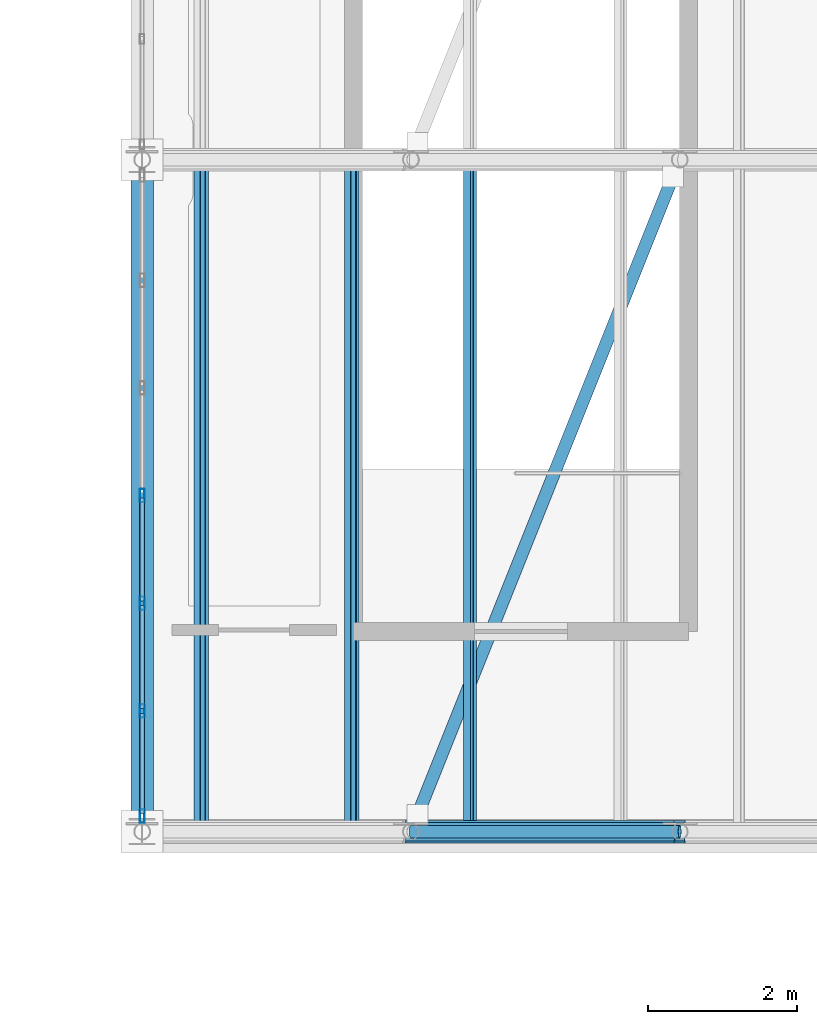
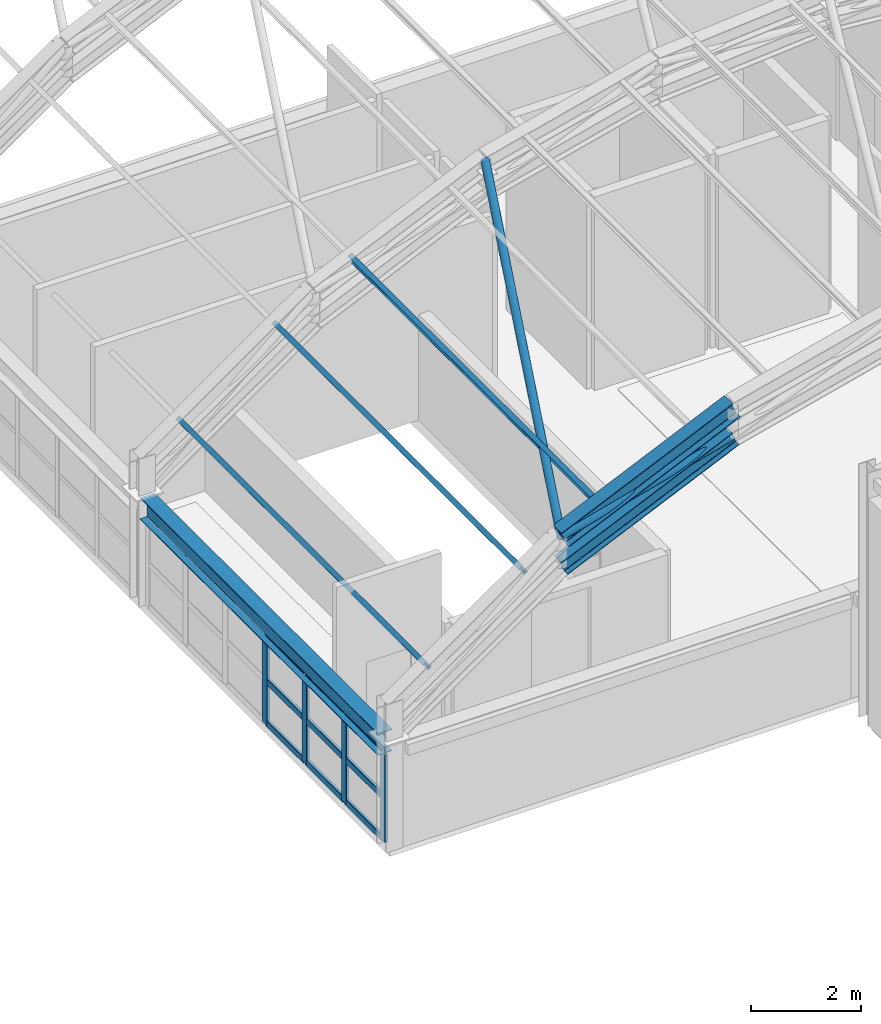
# One storey, part 8 of 121: 19 members, 2 beams, 1 element without a shape of its own.
"""IFC4 building model written with IfcOpenShell, lengths in metres."""

from ifc_helpers import new_model, si_unit, direction, frame, origin, origin_2d, place, context, subcontext, project, spatial, hollow_rectangle, hollow_circle, i_section, extrude, material, material_profile, profile_set, type_object, element, aggregate, save


model = new_model("IFC4")

# Units and contexts
model_context = context("Model", 3, precision=1e-05, world=origin(), true_north=direction((0.0, 1.0)))
body_context = subcontext(model_context, "Body", "Model", "MODEL_VIEW")
ifc_project = project(units=[si_unit("LENGTHUNIT", "METRE"), si_unit("AREAUNIT", "SQUARE_METRE"), si_unit("VOLUMEUNIT", "CUBIC_METRE"), si_unit("PLANEANGLEUNIT", "RADIAN"), si_unit("MASSUNIT", "GRAM", prefix="KILO")], contexts=[model_context])

# Site, building, storey
site_placement = place(None, origin())
site = spatial("IfcSite", under=ifc_project, at=site_placement, CompositionType="ELEMENT")
building_placement = place(site_placement, origin())
building = spatial("IfcBuilding", under=site, at=building_placement, Name="Canglan Escarpment Cableway Terminal", CompositionType="ELEMENT")
storey_placement = place(building_placement, frame((0.0, 0.0, 24.60009765625)))
storey = spatial("IfcBuildingStorey", under=building, at=storey_placement, Name="L05", CompositionType="ELEMENT", Elevation=24.60009765625)

# Beams
ifc_material_1 = material(Name="Steel Q355B", Category="steel")
ifc_material_profile_1 = material_profile(ifc_material_1, i_section(OverallWidth=0.300048828125, OverallDepth=0.389892578125, WebThickness=0.010009765625, FlangeThickness=0.01611328125, FilletRadius=0.02197265625, at=origin_2d()), Name="HM 390x300x10x16")
ifc_profile_set_1 = profile_set([ifc_material_profile_1], Name="Steel Q355B")
beam_type_1 = type_object("IfcBeamType", Name="BM-ARCH-TOP-HM390", PredefinedType="BEAM", material=ifc_profile_set_1)
beam_1_placement = place(storey_placement, frame((141.199951171875, 34.0, 5.616455078125), z_axis=(0.911752518833, 0.0, 0.410739996108), x_axis=(0.0, 1.0, 0.0)))
element("IfcBeam", 1, at=beam_1_placement, inside=storey, type_object=beam_type_1, Name="Vault ROOF TRUSS arch top chord AR-TC1", PredefinedType="BEAM", context=body_context, shape_type="SweptSolid", body=[
    extrude(i_section(OverallWidth=0.300048828125, OverallDepth=0.389892578125, WebThickness=0.010009765625, FlangeThickness=0.01611328125, FilletRadius=0.02197265625, at=origin_2d()), origin(), (0.0, 0.0, 1.0), 3.948486328125),
])
ifc_material_profile_2 = material_profile(ifc_material_1, i_section(OverallWidth=0.300048828125, OverallDepth=0.488037109375, WebThickness=0.010986328125, FlangeThickness=0.01806640625, FilletRadius=0.02587890625, at=origin_2d()), Name="HM 488x300x11x18")
ifc_profile_set_2 = profile_set([ifc_material_profile_2], Name="Steel Q355B")
beam_type_2 = type_object("IfcBeamType", Name="BM-HM488", PredefinedType="BEAM", material=ifc_profile_set_2)
beam_2_placement = place(storey_placement, frame((137.60009765625, 34.175048828125, 2.1884765625), z_axis=(0.0, 1.0, 0.0), x_axis=(-1.0, 0.0, 0.0)))
element("IfcBeam", 2, at=beam_2_placement, inside=storey, type_object=beam_type_2, Name="Vault springing ring girder B-09", PredefinedType="BEAM", context=body_context, shape_type="SweptSolid", body=[
    extrude(i_section(OverallWidth=0.300048828125, OverallDepth=0.488037109375, WebThickness=0.010986328125, FlangeThickness=0.01806640625, FilletRadius=0.02587890625, at=origin_2d()), origin(), (0.0, 0.0, 1.0), 8.64990234375),
])

# Curtain wall, members
ifc_material_2 = material(Name="Anodized bronze aluminium and Low-E double glazing", Category="aluminium")
curtain_wall_type = type_object("IfcCurtainWallType", Name="CW-BAY-8650x1925", PredefinedType="NOTDEFINED", material=ifc_material_2)
curtain_wall_placement = place(storey_placement, origin())
curtain_wall = element("IfcCurtainWall", 3, at=curtain_wall_placement, inside=storey, type_object=curtain_wall_type, Name="Classical bay-between-piers glazed curtain wall CW-65", PredefinedType="NOTDEFINED")
ifc_material_3 = material(Name="Thermally broken anodized aluminium 6063-T6", Category="aluminium")
ifc_material_profile_3 = material_profile(ifc_material_3, hollow_rectangle(XDim=0.06494140625, YDim=0.179931640625, WallThickness=0.00390625, InnerFilletRadius=0.00390625, OuterFilletRadius=0.008056640625, at=origin_2d()), Name="ALU-MULL 65x180x4")
ifc_profile_set_3 = profile_set([ifc_material_profile_3], Name="Thermally broken anodized aluminium 6063-T6")
member_type_1 = type_object("IfcMemberType", Name="CWM-03", PredefinedType="MULLION", material=ifc_profile_set_3)
member_1_placement = place(storey_placement, frame((137.60009765625, 38.5, 0.0), z_axis=(0.0, 0.0, 1.0), x_axis=(1.0, 0.0, 0.0)))
member_1 = element("IfcMember", 4, at=member_1_placement, type_object=member_type_1, Name="CW-65 mullion 4", PredefinedType="MULLION", context=body_context, shape_type="SweptSolid", body=[
    extrude(hollow_rectangle(XDim=0.06494140625, YDim=0.179931640625, WallThickness=0.00390625, InnerFilletRadius=0.00390625, OuterFilletRadius=0.008056640625, at=origin_2d()), origin(), (0.0, 0.0, 1.0), 1.932373046875),
])
member_2_placement = place(storey_placement, frame((137.60009765625, 37.058349609375, 0.0), z_axis=(0.0, 0.0, 1.0), x_axis=(1.0, 0.0, 0.0)))
member_2 = element("IfcMember", 5, at=member_2_placement, type_object=member_type_1, Name="CW-65 mullion 5", PredefinedType="MULLION", context=body_context, shape_type="SweptSolid", body=[
    extrude(hollow_rectangle(XDim=0.06494140625, YDim=0.179931640625, WallThickness=0.00390625, InnerFilletRadius=0.00390625, OuterFilletRadius=0.008056640625, at=origin_2d()), origin(), (0.0, 0.0, 1.0), 1.932373046875),
])
member_3_placement = place(storey_placement, frame((137.60009765625, 35.61669921875, 0.0), z_axis=(0.0, 0.0, 1.0), x_axis=(1.0, 0.0, 0.0)))
member_3 = element("IfcMember", 6, at=member_3_placement, type_object=member_type_1, Name="CW-65 mullion 6", PredefinedType="MULLION", context=body_context, shape_type="SweptSolid", body=[
    extrude(hollow_rectangle(XDim=0.06494140625, YDim=0.179931640625, WallThickness=0.00390625, InnerFilletRadius=0.00390625, OuterFilletRadius=0.008056640625, at=origin_2d()), origin(), (0.0, 0.0, 1.0), 1.932373046875),
])
member_4_placement = place(storey_placement, frame((137.60009765625, 34.20751953125, 0.0), z_axis=(0.0, 0.0, 1.0), x_axis=(1.0, 0.0, 0.0)))
member_4 = element("IfcMember", 7, at=member_4_placement, type_object=member_type_1, Name="CW-65 mullion 7", PredefinedType="MULLION", context=body_context, shape_type="SweptSolid", body=[
    extrude(hollow_rectangle(XDim=0.06494140625, YDim=0.179931640625, WallThickness=0.00390625, InnerFilletRadius=0.00390625, OuterFilletRadius=0.008056640625, at=origin_2d()), origin(), (0.0, 0.0, 1.0), 1.932373046875),
])
ifc_material_profile_4 = material_profile(ifc_material_3, hollow_rectangle(XDim=0.06494140625, YDim=0.139892578125, WallThickness=0.00341796875, InnerFilletRadius=0.00341796875, OuterFilletRadius=0.007080078125, at=origin_2d()), Name="ALU-TRAN 65x140x3.5")
ifc_profile_set_4 = profile_set([ifc_material_profile_4], Name="Thermally broken anodized aluminium 6063-T6")
member_type_2 = type_object("IfcMemberType", Name="CWT-03", PredefinedType="USERDEFINED", material=ifc_profile_set_4)
member_5_placement = place(storey_placement, frame((137.60009765625, 38.467529296875, 0.032470703125), z_axis=(0.0, -1.0, 0.0), x_axis=(1.0, 0.0, 0.0)))
member_5 = element("IfcMember", 8, at=member_5_placement, type_object=member_type_2, Name="CW-65 transom 4.1", ObjectType="TRANSOM", PredefinedType="USERDEFINED", context=body_context, shape_type="SweptSolid", body=[
    extrude(hollow_rectangle(XDim=0.06494140625, YDim=0.139892578125, WallThickness=0.00341796875, InnerFilletRadius=0.00341796875, OuterFilletRadius=0.007080078125, at=origin_2d()), origin(), (0.0, 0.0, 1.0), 1.376708984375),
])
member_6_placement = place(storey_placement, frame((137.60009765625, 38.467529296875, 0.96630859375), z_axis=(0.0, -1.0, 0.0), x_axis=(1.0, 0.0, 0.0)))
member_6 = element("IfcMember", 9, at=member_6_placement, type_object=member_type_2, Name="CW-65 transom 4.2", ObjectType="TRANSOM", PredefinedType="USERDEFINED", context=body_context, shape_type="SweptSolid", body=[
    extrude(hollow_rectangle(XDim=0.06494140625, YDim=0.139892578125, WallThickness=0.00341796875, InnerFilletRadius=0.00341796875, OuterFilletRadius=0.007080078125, at=origin_2d()), origin(), (0.0, 0.0, 1.0), 1.376708984375),
])
member_7_placement = place(storey_placement, frame((137.60009765625, 38.467529296875, 1.89990234375), z_axis=(0.0, -1.0, 0.0), x_axis=(1.0, 0.0, 0.0)))
member_7 = element("IfcMember", 10, at=member_7_placement, type_object=member_type_2, Name="CW-65 transom 4.3", ObjectType="TRANSOM", PredefinedType="USERDEFINED", context=body_context, shape_type="SweptSolid", body=[
    extrude(hollow_rectangle(XDim=0.06494140625, YDim=0.139892578125, WallThickness=0.00341796875, InnerFilletRadius=0.00341796875, OuterFilletRadius=0.007080078125, at=origin_2d()), origin(), (0.0, 0.0, 1.0), 1.376708984375),
])
member_8_placement = place(storey_placement, frame((137.60009765625, 37.02587890625, 0.032470703125), z_axis=(0.0, -1.0, 0.0), x_axis=(1.0, 0.0, 0.0)))
member_8 = element("IfcMember", 11, at=member_8_placement, type_object=member_type_2, Name="CW-65 transom 5.1", ObjectType="TRANSOM", PredefinedType="USERDEFINED", context=body_context, shape_type="SweptSolid", body=[
    extrude(hollow_rectangle(XDim=0.06494140625, YDim=0.139892578125, WallThickness=0.00341796875, InnerFilletRadius=0.00341796875, OuterFilletRadius=0.007080078125, at=origin_2d()), origin(), (0.0, 0.0, 1.0), 1.376708984375),
])
member_9_placement = place(storey_placement, frame((137.60009765625, 37.02587890625, 0.96630859375), z_axis=(0.0, -1.0, 0.0), x_axis=(1.0, 0.0, 0.0)))
member_9 = element("IfcMember", 12, at=member_9_placement, type_object=member_type_2, Name="CW-65 transom 5.2", ObjectType="TRANSOM", PredefinedType="USERDEFINED", context=body_context, shape_type="SweptSolid", body=[
    extrude(hollow_rectangle(XDim=0.06494140625, YDim=0.139892578125, WallThickness=0.00341796875, InnerFilletRadius=0.00341796875, OuterFilletRadius=0.007080078125, at=origin_2d()), origin(), (0.0, 0.0, 1.0), 1.376708984375),
])
member_10_placement = place(storey_placement, frame((137.60009765625, 37.02587890625, 1.89990234375), z_axis=(0.0, -1.0, 0.0), x_axis=(1.0, 0.0, 0.0)))
member_10 = element("IfcMember", 13, at=member_10_placement, type_object=member_type_2, Name="CW-65 transom 5.3", ObjectType="TRANSOM", PredefinedType="USERDEFINED", context=body_context, shape_type="SweptSolid", body=[
    extrude(hollow_rectangle(XDim=0.06494140625, YDim=0.139892578125, WallThickness=0.00341796875, InnerFilletRadius=0.00341796875, OuterFilletRadius=0.007080078125, at=origin_2d()), origin(), (0.0, 0.0, 1.0), 1.376708984375),
])
member_11_placement = place(storey_placement, frame((137.60009765625, 35.584228515625, 0.032470703125), z_axis=(0.0, -1.0, 0.0), x_axis=(1.0, 0.0, 0.0)))
member_11 = element("IfcMember", 14, at=member_11_placement, type_object=member_type_2, Name="CW-65 transom 6.1", ObjectType="TRANSOM", PredefinedType="USERDEFINED", context=body_context, shape_type="SweptSolid", body=[
    extrude(hollow_rectangle(XDim=0.06494140625, YDim=0.139892578125, WallThickness=0.00341796875, InnerFilletRadius=0.00341796875, OuterFilletRadius=0.007080078125, at=origin_2d()), origin(), (0.0, 0.0, 1.0), 1.34423828125),
])
member_12_placement = place(storey_placement, frame((137.60009765625, 35.584228515625, 0.96630859375), z_axis=(0.0, -1.0, 0.0), x_axis=(1.0, 0.0, 0.0)))
member_12 = element("IfcMember", 15, at=member_12_placement, type_object=member_type_2, Name="CW-65 transom 6.2", ObjectType="TRANSOM", PredefinedType="USERDEFINED", context=body_context, shape_type="SweptSolid", body=[
    extrude(hollow_rectangle(XDim=0.06494140625, YDim=0.139892578125, WallThickness=0.00341796875, InnerFilletRadius=0.00341796875, OuterFilletRadius=0.007080078125, at=origin_2d()), origin(), (0.0, 0.0, 1.0), 1.34423828125),
])
member_13_placement = place(storey_placement, frame((137.60009765625, 35.584228515625, 1.89990234375), z_axis=(0.0, -1.0, 0.0), x_axis=(1.0, 0.0, 0.0)))
member_13 = element("IfcMember", 16, at=member_13_placement, type_object=member_type_2, Name="CW-65 transom 6.3", ObjectType="TRANSOM", PredefinedType="USERDEFINED", context=body_context, shape_type="SweptSolid", body=[
    extrude(hollow_rectangle(XDim=0.06494140625, YDim=0.139892578125, WallThickness=0.00341796875, InnerFilletRadius=0.00341796875, OuterFilletRadius=0.007080078125, at=origin_2d()), origin(), (0.0, 0.0, 1.0), 1.34423828125),
])
aggregate(curtain_wall, [member_1, member_2, member_3, member_4, member_5, member_6, member_7, member_8, member_9, member_10, member_11, member_12, member_13])

# Members
ifc_material_profile_5 = material_profile(ifc_material_1, i_section(OverallWidth=0.25, OverallDepth=0.340087890625, WebThickness=0.009033203125, FlangeThickness=0.013916015625, FilletRadius=0.02001953125, at=origin_2d()), Name="HM 340x250x9x14")
ifc_profile_set_5 = profile_set([ifc_material_profile_5], Name="Steel Q355B")
member_type_3 = type_object("IfcMemberType", Name="MB-ARCH-BOT-HM340", PredefinedType="CHORD", material=ifc_profile_set_5)
member_14_placement = place(storey_placement, frame((141.199951171875, 34.0, 4.966552734375), z_axis=(0.911752518833, 0.0, 0.410739996108), x_axis=(0.0, 1.0, 0.0)))
element("IfcMember", 17, at=member_14_placement, inside=storey, type_object=member_type_3, Name="Vault ROOF TRUSS arch bottom chord AR-BC1", PredefinedType="CHORD", context=body_context, shape_type="SweptSolid", body=[
    extrude(i_section(OverallWidth=0.25, OverallDepth=0.340087890625, WebThickness=0.009033203125, FlangeThickness=0.013916015625, FilletRadius=0.02001953125, at=origin_2d()), origin(), (0.0, 0.0, 1.0), 3.948486328125),
])
ifc_material_profile_6 = material_profile(ifc_material_1, hollow_circle(Radius=0.084228515625, WallThickness=0.006103515625, at=origin_2d()), Name="CHS 168.3x6")
ifc_profile_set_6 = profile_set([ifc_material_profile_6], Name="Steel Q355B")
member_type_4 = type_object("IfcMemberType", Name="MB-ARCH-DIAG-CHS168", PredefinedType="BRACE", material=ifc_profile_set_6)
member_15_placement = place(storey_placement, frame((141.199951171875, 34.0, 5.616455078125), z_axis=(0.96543600217, 0.0, 0.260640222748), x_axis=(0.0, 1.0, 0.0)))
element("IfcMember", 18, at=member_15_placement, inside=storey, type_object=member_type_4, Name="Vault ROOF TRUSS web diagonal AR-DG1", PredefinedType="BRACE", context=body_context, shape_type="SweptSolid", body=[
    extrude(hollow_circle(Radius=0.084228515625, WallThickness=0.006103515625, at=origin_2d()), origin(), (0.0, 0.0, 1.0), 3.72900390625),
])
ifc_material_profile_7 = material_profile(ifc_material_1, hollow_circle(Radius=0.084228515625, WallThickness=0.006103515625, at=origin_2d()), Name="CHS 168.3x6")
ifc_profile_set_7 = profile_set([ifc_material_profile_7], Name="Steel Q355B")
member_type_5 = type_object("IfcMemberType", Name="MB-ROOF-BR-CHS168", PredefinedType="BRACE", material=ifc_profile_set_7)
member_16_placement = place(storey_placement, frame((141.199951171875, 34.0, 5.616455078125), z_axis=(0.366307573698, 0.915744093096, 0.165019748547), x_axis=(-0.928473216852, 0.37139936132, 0.0)))
element("IfcMember", 19, at=member_16_placement, inside=storey, type_object=member_type_5, Name="Vault roof plane wind brace BR-03", PredefinedType="BRACE", context=body_context, shape_type="SweptSolid", body=[
    extrude(hollow_circle(Radius=0.084228515625, WallThickness=0.006103515625, at=origin_2d()), origin(), (0.0, 0.0, 1.0), 9.828125),
])
ifc_material_profile_8 = material_profile(ifc_material_1, i_section(OverallWidth=0.10009765625, OverallDepth=0.199951171875, WebThickness=0.005615234375, FlangeThickness=0.008056640625, FilletRadius=0.010986328125, at=origin_2d()), Name="HN 200x100x5.5x8")
ifc_profile_set_8 = profile_set([ifc_material_profile_8], Name="Steel Q355B")
member_type_6 = type_object("IfcMemberType", Name="MB-VAULT-PUR-HN200", PredefinedType="PURLIN", material=ifc_profile_set_8)
for number, where, z_axis, x_axis, name in (
    (20, (138.39208984375, 34.0, 3.712890625), (0.0, 1.0, 0.0), (-0.817727996784, 0.0, -0.575604832568), "Barrel-vault roof purlin PR-01"),
    (21, (140.407958984375, 34.0, 5.1318359375), (0.0, 1.0, 0.0), (-0.817727996784, 0.0, -0.575604832568), "Barrel-vault roof purlin PR-01"),
    (22, (141.991943359375, 34.0, 6.059814453125), (0.0, 1.0, 0.0), (-0.911740537138, 0.0, -0.410766591799), "Barrel-vault roof purlin PR-01"),
):
    element("IfcMember", number, at=place(storey_placement, frame(where, z_axis=z_axis, x_axis=x_axis)), inside=storey, type_object=member_type_6, Name=name, PredefinedType="PURLIN", context=body_context, shape_type="SweptSolid", body=[
        extrude(i_section(OverallWidth=0.10009765625, OverallDepth=0.199951171875, WebThickness=0.005615234375, FlangeThickness=0.008056640625, FilletRadius=0.010986328125, at=origin_2d()), origin(), (0.0, 0.0, 1.0), 9.0),
    ])

save(model, "model.ifc")
